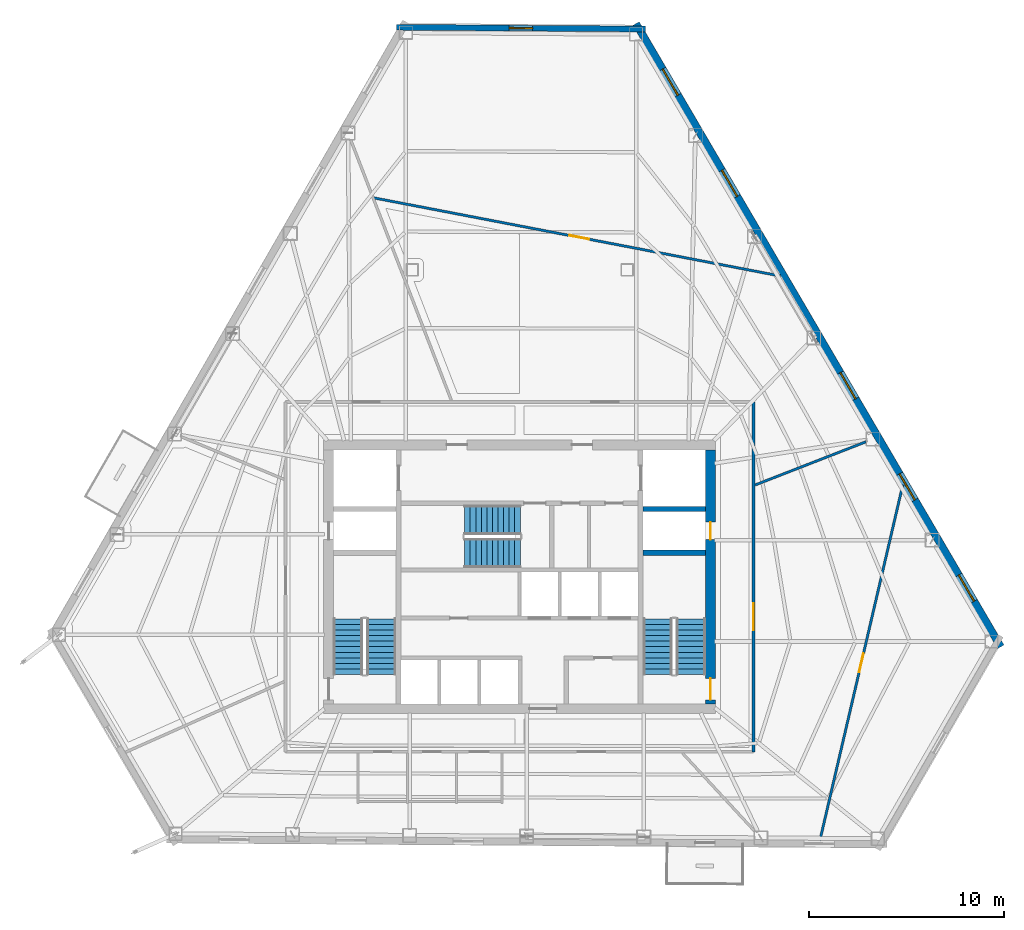
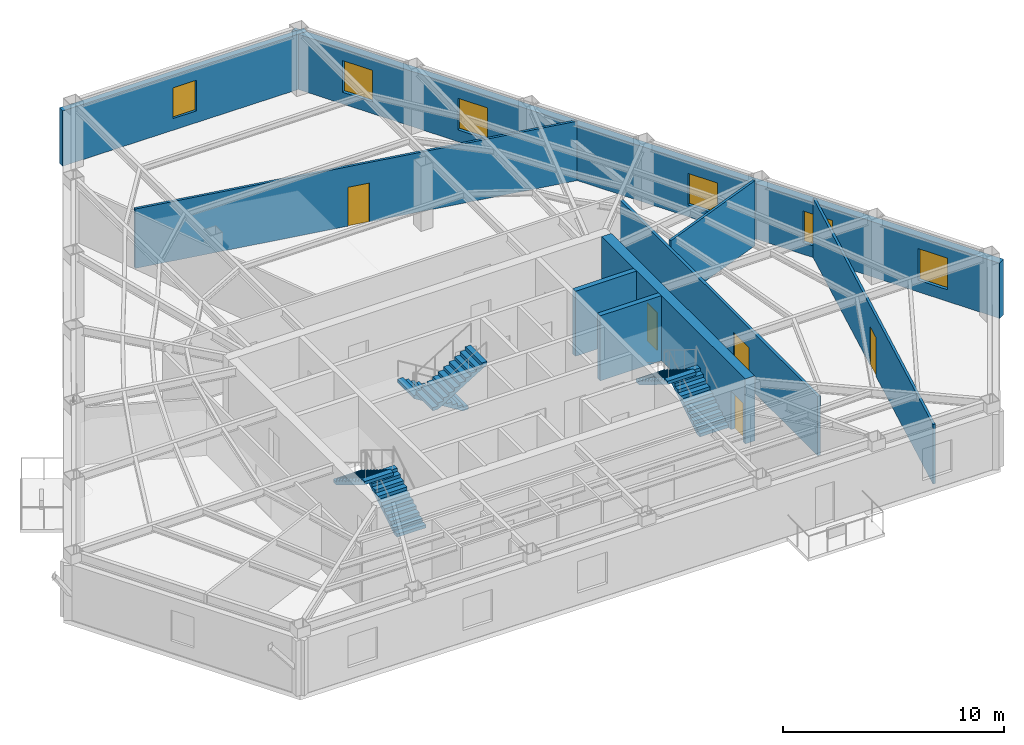
# One storey, part 10 of 12: 9 walls, 6 stair flights, 6 windows, 5 doors, 11 openings, 3 elements without a shape of their own.
"""IFC4 building model written with IfcOpenShell, lengths in metres."""

from ifc_helpers import new_model, si_unit, direction, frame, frame_2d, origin, place, context, subcontext, project, spatial, polyline, rectangle, outline, extrude, material, layer, layer_set, type_object, element, fill, aggregate, save


model = new_model("IFC4")

# Units and contexts
model_context = context("Model", 3, precision=1e-05, world=origin(), true_north=direction((0.0, 1.0)))
body_context = subcontext(model_context, "Body", "Model", "MODEL_VIEW")
ifc_project = project(units=[si_unit("LENGTHUNIT", "METRE"), si_unit("AREAUNIT", "SQUARE_METRE"), si_unit("VOLUMEUNIT", "CUBIC_METRE"), si_unit("PLANEANGLEUNIT", "RADIAN"), si_unit("MASSUNIT", "GRAM", prefix="KILO")], contexts=[model_context])

# Site, building, storey
site_placement = place(None, origin())
site = spatial("IfcSite", under=ifc_project, at=site_placement, CompositionType="ELEMENT")
building_placement = place(site_placement, origin())
building = spatial("IfcBuilding", under=site, at=building_placement, Name="Kavelnor Concourse Tower", CompositionType="ELEMENT")
storey_placement = place(building_placement, frame((0.0, 0.0, 120.14990234375)))
storey = spatial("IfcBuildingStorey", under=building, at=storey_placement, Name="L30", CompositionType="ELEMENT", Elevation=120.14990234375)

# Wall, openings, doors
ifc_material_1 = material(Name="Concrete C60/75", Category="concrete")
ifc_layer_1 = layer(ifc_material_1, 0.5, Name="Concrete C60/75")
ifc_layer_set_1 = layer_set([ifc_layer_1], Name="Concrete C60/75")
wall_type_1 = type_object("IfcWallType", Name="WL-CORE-Z2-500", PredefinedType="SOLIDWALL", material=ifc_layer_set_1)
wall_1_placement = place(storey_placement, frame((47.77001953125, 9.60009765625, 0.0), z_axis=(0.0, 0.0, 1.0), x_axis=(0.0, 1.0, 0.0)))
wall_1 = element("IfcWall", 1, at=wall_1_placement, inside=storey, type_object=wall_type_1, Name="L30 Central Core East Shear Wall", PredefinedType="SOLIDWALL", context=body_context, shape_type="SweptSolid", body=[
    extrude(rectangle(XDim=13.0, YDim=0.5, at=frame_2d((6.5, 0.0))), origin(), (0.0, 0.0, 1.0), 3.60009765625),
])
opening_1_placement = place(wall_1_placement, frame((0.199951171875, 0.0, 0.0)))
opening_1 = element("IfcOpeningElement", 2, at=opening_1_placement, cuts=wall_1, Name="Opening FD-110", PredefinedType="OPENING", context=body_context, shape_type="SweptSolid", body=[
    extrude(rectangle(XDim=1.10009765625, YDim=2.14990234375, at=frame_2d((0.550048828125, 1.074951171875))), frame((0.0, 0.260009765625, 0.0), z_axis=(0.0, -1.0, 0.0), x_axis=(1.0, 0.0, 0.0)), (0.0, 0.0, 1.0), 0.52001953125),
])
opening_2_placement = place(wall_1_placement, frame((8.39990234375, 0.0, 0.0)))
opening_2 = element("IfcOpeningElement", 3, at=opening_2_placement, cuts=wall_1, Name="Opening FD-090", PredefinedType="OPENING", context=body_context, shape_type="SweptSolid", body=[
    extrude(rectangle(XDim=0.89990234375, YDim=2.10009765625, at=frame_2d((0.449951171875, 1.050048828125))), frame((0.0, 0.260009765625, 0.0), z_axis=(0.0, -1.0, 0.0), x_axis=(1.0, 0.0, 0.0)), (0.0, 0.0, 1.0), 0.52001953125),
])
ifc_material_2 = material(Name="Steel Grade 350", Category="steel")
door_type_1 = type_object("IfcDoorType", Name="DR-RISER-FIRE-900", OperationType="NOTDEFINED", PredefinedType="DOOR", material=ifc_material_2)
door_1_placement = place(opening_2_placement, origin())
door_1 = element("IfcDoor", 4, at=door_1_placement, inside=storey, type_object=door_type_1, Name="L30 East Riser Access Door", OperationType="SINGLE_SWING_LEFT", OverallHeight=2.10009765625, OverallWidth=0.89990234375, PredefinedType="DOOR", context=body_context, shape_type="SweptSolid", body=[
    extrude(rectangle(XDim=0.89990234375, YDim=2.10009765625, at=frame_2d((0.449951171875, 1.050048828125))), frame((0.0, 0.02490234375, 0.0), z_axis=(0.0, -1.0, 0.0), x_axis=(1.0, 0.0, 0.0)), (0.0, 0.0, 1.0), 0.050048828125),
])
fill(opening_2, door_1)
door_type_2 = type_object("IfcDoorType", Name="DR-STAIR-FIRE-1100", OperationType="NOTDEFINED", PredefinedType="DOOR", material=ifc_material_2)
door_2_placement = place(opening_1_placement, origin())
door_2 = element("IfcDoor", 5, at=door_2_placement, inside=storey, type_object=door_type_2, Name="L30 Stair ST2 Fire Door", OperationType="SINGLE_SWING_RIGHT", OverallHeight=2.14990234375, OverallWidth=1.10009765625, PredefinedType="DOOR", context=body_context, shape_type="SweptSolid", body=[
    extrude(rectangle(XDim=1.10009765625, YDim=2.14990234375, at=frame_2d((0.550048828125, 1.074951171875))), frame((0.0, 0.02490234375, 0.0), z_axis=(0.0, -1.0, 0.0), x_axis=(1.0, 0.0, 0.0)), (0.0, 0.0, 1.0), 0.050048828125),
])
fill(opening_1, door_2)

# Wall, opening, window
ifc_material_3 = material(Name="Buff ironspot clay face brick masonry", Category="masonry")
ifc_layer_2 = layer(ifc_material_3, 0.300048828125, Name="Buff ironspot clay face brick masonry")
ifc_layer_set_2 = layer_set([ifc_layer_2], Name="Buff ironspot clay face brick masonry")
wall_type_2 = type_object("IfcWallType", Name="WL-EXT-BUFF-BRICK-FOLD-300", PredefinedType="STANDARD", material=ifc_layer_set_2)
wall_2_placement = place(storey_placement, frame((31.70556640625, 44.216796875, 0.0), z_axis=(0.0, 0.0, 1.0), x_axis=(0.999975916869, -0.006940149963, 0.0)))
wall_2 = element("IfcWall", 6, at=wall_2_placement, inside=storey, type_object=wall_type_2, Name="L30 Exterior Brick Facade Wall E0", PredefinedType="STANDARD", context=body_context, shape_type="SweptSolid", body=[
    extrude(rectangle(XDim=12.734375, YDim=0.300048828125, at=frame_2d((6.3671875, 0.0))), origin(), (0.0, 0.0, 1.0), 3.05908203125),
])
opening_3_placement = place(wall_2_placement, frame((5.767333984375, 0.0, 0.64990234375)))
opening_3 = element("IfcOpeningElement", 7, at=opening_3_placement, cuts=wall_2, Name="Opening W-05", PredefinedType="OPENING", context=body_context, shape_type="SweptSolid", body=[
    extrude(rectangle(XDim=1.199951171875, YDim=1.699951171875, at=frame_2d((0.60009765625, 0.85009765625))), frame((0.0, 0.16015625, 0.0), z_axis=(0.0, -1.0, 0.0), x_axis=(1.0, 0.0, 0.0)), (0.0, 0.0, 1.0), 0.320068359375),
])
ifc_material_4 = material(Name="Double low-E argon insulated glazing", Category="glass")
window_type_1 = type_object("IfcWindowType", Name="WIN-FOLD-1200", PartitioningType="SINGLE_PANEL", PredefinedType="WINDOW", material=ifc_material_4)
window_1_placement = place(opening_3_placement, origin())
window_1 = element("IfcWindow", 8, at=window_1_placement, inside=storey, type_object=window_type_1, Name="L30 Chamfer-Fold Facet Window C0", OverallHeight=1.699951171875, OverallWidth=1.199951171875, PartitioningType="SINGLE_PANEL", PredefinedType="WINDOW", context=body_context, shape_type="SweptSolid", body=[
    extrude(rectangle(XDim=1.199951171875, YDim=1.699951171875, at=frame_2d((0.60009765625, 0.85009765625))), frame((0.0, 0.030029296875, 0.0), z_axis=(0.0, -1.0, 0.0), x_axis=(1.0, 0.0, 0.0)), (0.0, 0.0, 1.0), 0.06005859375),
])
fill(opening_3, window_1)

# Wall, openings, windows
ifc_material_5 = material(Name="Red-ochre clay face brick masonry", Category="masonry")
ifc_layer_3 = layer(ifc_material_5, 0.3798828125, Name="Red-ochre clay face brick masonry")
ifc_layer_set_3 = layer_set([ifc_layer_3], Name="Red-ochre clay face brick masonry")
wall_type_3 = type_object("IfcWallType", Name="WL-EXT-RED-BRICK-PIER-380", PredefinedType="STANDARD", material=ifc_layer_set_3)
wall_3_placement = place(storey_placement, frame((43.958984375, 44.40625, 0.0), z_axis=(0.0, 0.0, 1.0), x_axis=(0.50514079069, -0.863036952616, 0.0)))
wall_3 = element("IfcWall", 9, at=wall_3_placement, inside=storey, type_object=wall_type_3, Name="L30 Exterior Brick Facade Wall E5", PredefinedType="STANDARD", context=body_context, shape_type="SweptSolid", body=[
    extrude(rectangle(XDim=36.9482421875, YDim=0.3798828125, at=frame_2d((18.47412109375, 0.0))), origin(), (0.0, 0.0, 1.0), 3.05908203125),
])
opening_4_placement = place(wall_3_placement, frame((32.69482421875, 0.0, 0.64990234375)))
opening_4 = element("IfcOpeningElement", 10, at=opening_4_placement, cuts=wall_3, Name="Opening W-02", PredefinedType="OPENING", context=body_context, shape_type="SweptSolid", body=[
    extrude(rectangle(XDim=1.550048828125, YDim=1.75, at=frame_2d((0.77490234375, 0.875))), frame((0.0, 0.199951171875, 0.0), z_axis=(0.0, -1.0, 0.0), x_axis=(1.0, 0.0, 0.0)), (0.0, 0.0, 1.0), 0.39990234375),
])
opening_5_placement = place(wall_3_placement, frame((26.695556640625, 0.0, 0.64990234375)))
opening_5 = element("IfcOpeningElement", 11, at=opening_5_placement, cuts=wall_3, Name="Opening W-02", PredefinedType="OPENING", context=body_context, shape_type="SweptSolid", body=[
    extrude(rectangle(XDim=1.550048828125, YDim=1.75, at=frame_2d((0.77490234375, 0.875))), frame((0.0, 0.199951171875, 0.0), z_axis=(0.0, -1.0, 0.0), x_axis=(1.0, 0.0, 0.0)), (0.0, 0.0, 1.0), 0.39990234375),
])
opening_6_placement = place(wall_3_placement, frame((20.696044921875, 0.0, 0.64990234375)))
opening_6 = element("IfcOpeningElement", 12, at=opening_6_placement, cuts=wall_3, Name="Opening W-02", PredefinedType="OPENING", context=body_context, shape_type="SweptSolid", body=[
    extrude(rectangle(XDim=1.550048828125, YDim=1.75, at=frame_2d((0.77490234375, 0.875))), frame((0.0, 0.199951171875, 0.0), z_axis=(0.0, -1.0, 0.0), x_axis=(1.0, 0.0, 0.0)), (0.0, 0.0, 1.0), 0.39990234375),
])
opening_7_placement = place(wall_3_placement, frame((8.697265625, 0.0, 0.64990234375)))
opening_7 = element("IfcOpeningElement", 13, at=opening_7_placement, cuts=wall_3, Name="Opening W-02", PredefinedType="OPENING", context=body_context, shape_type="SweptSolid", body=[
    extrude(rectangle(XDim=1.550048828125, YDim=1.75, at=frame_2d((0.77490234375, 0.875))), frame((0.0, 0.199951171875, 0.0), z_axis=(0.0, -1.0, 0.0), x_axis=(1.0, 0.0, 0.0)), (0.0, 0.0, 1.0), 0.39990234375),
])
opening_8_placement = place(wall_3_placement, frame((2.69775390625, 0.0, 0.64990234375)))
opening_8 = element("IfcOpeningElement", 14, at=opening_8_placement, cuts=wall_3, Name="Opening W-02", PredefinedType="OPENING", context=body_context, shape_type="SweptSolid", body=[
    extrude(rectangle(XDim=1.550048828125, YDim=1.75, at=frame_2d((0.77490234375, 0.875))), frame((0.0, 0.199951171875, 0.0), z_axis=(0.0, -1.0, 0.0), x_axis=(1.0, 0.0, 0.0)), (0.0, 0.0, 1.0), 0.39990234375),
])
window_type_2 = type_object("IfcWindowType", Name="WIN-PIER-Z2-1650", PartitioningType="SINGLE_PANEL", PredefinedType="WINDOW", material=ifc_material_4)
window_2_placement = place(opening_4_placement, origin())
window_2 = element("IfcWindow", 15, at=window_2_placement, inside=storey, type_object=window_type_2, Name="L30 Deep-Set Brick Pier Window F2-B0", OverallHeight=1.75, OverallWidth=1.550048828125, PartitioningType="SINGLE_PANEL", PredefinedType="WINDOW", context=body_context, shape_type="SweptSolid", body=[
    extrude(rectangle(XDim=1.550048828125, YDim=1.75, at=frame_2d((0.77490234375, 0.875))), frame((0.0, 0.030029296875, 0.0), z_axis=(0.0, -1.0, 0.0), x_axis=(1.0, 0.0, 0.0)), (0.0, 0.0, 1.0), 0.06005859375),
])
fill(opening_4, window_2)
window_3_placement = place(opening_5_placement, origin())
window_3 = element("IfcWindow", 16, at=window_3_placement, inside=storey, type_object=window_type_2, Name="L30 Deep-Set Brick Pier Window F2-B1", OverallHeight=1.75, OverallWidth=1.550048828125, PartitioningType="SINGLE_PANEL", PredefinedType="WINDOW", context=body_context, shape_type="SweptSolid", body=[
    extrude(rectangle(XDim=1.550048828125, YDim=1.75, at=frame_2d((0.77490234375, 0.875))), frame((0.0, 0.030029296875, 0.0), z_axis=(0.0, -1.0, 0.0), x_axis=(1.0, 0.0, 0.0)), (0.0, 0.0, 1.0), 0.06005859375),
])
fill(opening_5, window_3)
window_4_placement = place(opening_6_placement, origin())
window_4 = element("IfcWindow", 17, at=window_4_placement, inside=storey, type_object=window_type_2, Name="L30 Deep-Set Brick Pier Window F2-B2", OverallHeight=1.75, OverallWidth=1.550048828125, PartitioningType="SINGLE_PANEL", PredefinedType="WINDOW", context=body_context, shape_type="SweptSolid", body=[
    extrude(rectangle(XDim=1.550048828125, YDim=1.75, at=frame_2d((0.77490234375, 0.875))), frame((0.0, 0.030029296875, 0.0), z_axis=(0.0, -1.0, 0.0), x_axis=(1.0, 0.0, 0.0)), (0.0, 0.0, 1.0), 0.06005859375),
])
fill(opening_6, window_4)
window_5_placement = place(opening_7_placement, origin())
window_5 = element("IfcWindow", 18, at=window_5_placement, inside=storey, type_object=window_type_2, Name="L30 Deep-Set Brick Pier Window F2-B4", OverallHeight=1.75, OverallWidth=1.550048828125, PartitioningType="SINGLE_PANEL", PredefinedType="WINDOW", context=body_context, shape_type="SweptSolid", body=[
    extrude(rectangle(XDim=1.550048828125, YDim=1.75, at=frame_2d((0.77490234375, 0.875))), frame((0.0, 0.030029296875, 0.0), z_axis=(0.0, -1.0, 0.0), x_axis=(1.0, 0.0, 0.0)), (0.0, 0.0, 1.0), 0.06005859375),
])
fill(opening_7, window_5)
window_6_placement = place(opening_8_placement, origin())
window_6 = element("IfcWindow", 19, at=window_6_placement, inside=storey, type_object=window_type_2, Name="L30 Deep-Set Brick Pier Window F2-B5", OverallHeight=1.75, OverallWidth=1.550048828125, PartitioningType="SINGLE_PANEL", PredefinedType="WINDOW", context=body_context, shape_type="SweptSolid", body=[
    extrude(rectangle(XDim=1.550048828125, YDim=1.75, at=frame_2d((0.77490234375, 0.875))), frame((0.0, 0.030029296875, 0.0), z_axis=(0.0, -1.0, 0.0), x_axis=(1.0, 0.0, 0.0)), (0.0, 0.0, 1.0), 0.06005859375),
])
fill(opening_8, window_6)

# Wall, opening, door
ifc_material_6 = material(Name="Gypsum plasterboard on light-gauge steel studs", Category="steel")
ifc_layer_4 = layer(ifc_material_6, 0.14501953125, Name="Gypsum plasterboard on light-gauge steel studs")
ifc_layer_set_4 = layer_set([ifc_layer_4], Name="Gypsum plasterboard on light-gauge steel studs")
wall_type_4 = type_object("IfcWallType", Name="WL-INT-CORR-145", PredefinedType="PARTITIONING", material=ifc_layer_set_4)
wall_4_placement = place(storey_placement, frame((49.969970703125, 7.14990234375, 0.0), z_axis=(0.0, 0.0, 1.0), x_axis=(0.0, 1.0, 0.0)))
wall_4 = element("IfcWall", 20, at=wall_4_placement, inside=storey, type_object=wall_type_4, Name="L30 Corridor Wall WL-L30-CR-01", PredefinedType="PARTITIONING", context=body_context, shape_type="SweptSolid", body=[
    extrude(rectangle(XDim=17.900146484375, YDim=0.14501953125, at=frame_2d((8.9501953125, 0.0))), origin(), (0.0, 0.0, 1.0), 3.2880859375),
])
opening_9_placement = place(wall_4_placement, frame((6.20751953125, 0.0, 0.0)))
opening_9 = element("IfcOpeningElement", 21, at=opening_9_placement, cuts=wall_4, Name="Opening SD-140", PredefinedType="OPENING", context=body_context, shape_type="SweptSolid", body=[
    extrude(rectangle(XDim=1.39990234375, YDim=2.199951171875, at=frame_2d((0.699951171875, 1.10009765625))), frame((0.0, 0.08251953125, 0.0), z_axis=(0.0, -1.0, 0.0), x_axis=(1.0, 0.0, 0.0)), (0.0, 0.0, 1.0), 0.1650390625),
])
ifc_material_7 = material(Name="Solid-core hardwood timber", Category="wood")
door_type_3 = type_object("IfcDoorType", Name="DR-SUITE-ENTRY-1400", OperationType="NOTDEFINED", PredefinedType="DOOR", material=ifc_material_7)
door_3_placement = place(opening_9_placement, origin())
door_3 = element("IfcDoor", 22, at=door_3_placement, inside=storey, type_object=door_type_3, Name="L30 Staff Breakout Pantry 06 Door", OperationType="SINGLE_SWING_LEFT", OverallHeight=2.199951171875, OverallWidth=1.39990234375, PredefinedType="DOOR", context=body_context, shape_type="SweptSolid", body=[
    extrude(rectangle(XDim=1.39990234375, YDim=2.199951171875, at=frame_2d((0.699951171875, 1.10009765625))), frame((0.0, 0.02490234375, 0.0), z_axis=(0.0, -1.0, 0.0), x_axis=(1.0, 0.0, 0.0)), (0.0, 0.0, 1.0), 0.050048828125),
])
fill(opening_9, door_3)

# Wall
ifc_layer_5 = layer(ifc_material_6, 0.125, Name="Gypsum plasterboard on light-gauge steel studs")
ifc_layer_set_5 = layer_set([ifc_layer_5], Name="Gypsum plasterboard on light-gauge steel studs")
wall_type_5 = type_object("IfcWallType", Name="WL-INT-SUITE-125", PredefinedType="PARTITIONING", material=ifc_layer_set_5)
wall_5_placement = place(storey_placement, frame((50.050537109375, 20.797607421875, 0.0), z_axis=(0.0, 0.0, 1.0), x_axis=(0.931714445964, 0.363191672786, 0.0)))
element("IfcWall", 23, at=wall_5_placement, inside=storey, type_object=wall_type_5, Name="L30 Radial Suite Partition 01", PredefinedType="PARTITIONING", context=body_context, shape_type="SweptSolid", body=[
    extrude(rectangle(XDim=6.084228515625, YDim=0.125, at=frame_2d((3.0419921875, 0.0))), origin(), (0.0, 0.0, 1.0), 3.60009765625),
])

# Wall, opening, door
wall_6_placement = place(storey_placement, frame((51.344970703125, 31.490234375, 0.0), z_axis=(0.0, 0.0, 1.0), x_axis=(-0.982025578243, 0.188747883902, 0.0)))
wall_6 = element("IfcWall", 24, at=wall_6_placement, inside=storey, type_object=wall_type_5, Name="L30 Suite Subdivision Partition 01", PredefinedType="PARTITIONING", context=body_context, shape_type="SweptSolid", body=[
    extrude(rectangle(XDim=21.20263671875, YDim=0.125, at=frame_2d((10.601318359375, 0.0))), origin(), (0.0, 0.0, 1.0), 3.2880859375),
])
opening_10_placement = place(wall_6_placement, frame((9.968994140625, 0.0, 0.0)))
opening_10 = element("IfcOpeningElement", 25, at=opening_10_placement, cuts=wall_6, Name="Opening MD-102", PredefinedType="OPENING", context=body_context, shape_type="SweptSolid", body=[
    extrude(rectangle(XDim=1.02001953125, YDim=2.14990234375, at=frame_2d((0.510009765625, 1.074951171875))), frame((0.0, 0.072509765625, 0.0), z_axis=(0.0, -1.0, 0.0), x_axis=(1.0, 0.0, 0.0)), (0.0, 0.0, 1.0), 0.14501953125),
])
ifc_material_8 = material(Name="Acoustic glazed timber frame", Category="wood")
door_type_4 = type_object("IfcDoorType", Name="DR-MEETING-1020", OperationType="NOTDEFINED", PredefinedType="DOOR", material=ifc_material_8)
door_4_placement = place(opening_10_placement, origin())
door_4 = element("IfcDoor", 26, at=door_4_placement, inside=storey, type_object=door_type_4, Name="L30 Client Boardroom 02 Door", OperationType="SINGLE_SWING_LEFT", OverallHeight=2.14990234375, OverallWidth=1.02001953125, PredefinedType="DOOR", context=body_context, shape_type="SweptSolid", body=[
    extrude(rectangle(XDim=1.02001953125, YDim=2.14990234375, at=frame_2d((0.510009765625, 1.074951171875))), frame((0.0, 0.02490234375, 0.0), z_axis=(0.0, -1.0, 0.0), x_axis=(1.0, 0.0, 0.0)), (0.0, 0.0, 1.0), 0.050048828125),
])
fill(opening_10, door_4)

wall_7_placement = place(storey_placement, frame((53.365478515625, 2.602294921875, 0.0), z_axis=(0.0, 0.0, 1.0), x_axis=(0.227056479697, 0.973881591893, 0.0)))
wall_7 = element("IfcWall", 27, at=wall_7_placement, inside=storey, type_object=wall_type_5, Name="L30 Suite Subdivision Partition 05", PredefinedType="PARTITIONING", context=body_context, shape_type="SweptSolid", body=[
    extrude(rectangle(XDim=18.677978515625, YDim=0.125, at=frame_2d((9.3388671875, 0.0))), origin(), (0.0, 0.0, 1.0), 3.2880859375),
])
opening_11_placement = place(wall_7_placement, frame((8.84912109375, 0.0, 0.0)))
opening_11 = element("IfcOpeningElement", 28, at=opening_11_placement, cuts=wall_7, Name="Opening OD-098", PredefinedType="OPENING", context=body_context, shape_type="SweptSolid", body=[
    extrude(rectangle(XDim=0.97998046875, YDim=2.14990234375, at=frame_2d((0.489990234375, 1.074951171875))), frame((0.0, 0.072509765625, 0.0), z_axis=(0.0, -1.0, 0.0), x_axis=(1.0, 0.0, 0.0)), (0.0, 0.0, 1.0), 0.14501953125),
])
door_type_5 = type_object("IfcDoorType", Name="DR-OFFICE-980", OperationType="NOTDEFINED", PredefinedType="DOOR", material=ifc_material_7)
door_5_placement = place(opening_11_placement, origin())
door_5 = element("IfcDoor", 29, at=door_5_placement, inside=storey, type_object=door_type_5, Name="L30 Tenant Bookstore Retail Shop 07 Door", OperationType="SINGLE_SWING_RIGHT", OverallHeight=2.14990234375, OverallWidth=0.97998046875, PredefinedType="DOOR", context=body_context, shape_type="SweptSolid", body=[
    extrude(rectangle(XDim=0.97998046875, YDim=2.14990234375, at=frame_2d((0.489990234375, 1.074951171875))), frame((0.0, 0.02490234375, 0.0), z_axis=(0.0, -1.0, 0.0), x_axis=(1.0, 0.0, 0.0)), (0.0, 0.0, 1.0), 0.050048828125),
])
fill(opening_11, door_5)

# Walls
ifc_material_9 = material(Name="Concrete C50/60", Category="concrete")
ifc_layer_6 = layer(ifc_material_9, 0.260009765625, Name="Concrete C50/60")
ifc_layer_set_6 = layer_set([ifc_layer_6], Name="Concrete C50/60")
wall_type_6 = type_object("IfcWallType", Name="WL-SHAFT-260", PredefinedType="SHEAR", material=ifc_layer_set_6)
for number, where, z_axis, x_axis, name in (
    (30, (44.320068359375, 17.330078125, 0.0), (0.0, 0.0, 1.0), (1.0, 0.0, 0.0), "L30 Stair ST2 North Shaft Wall"),
    (31, (44.320068359375, 19.570068359375, 0.0), (0.0, 0.0, 1.0), (1.0, 0.0, 0.0), "L30 Emergency Lift FL2 South Shaft Wall"),
):
    element("IfcWall", number, at=place(storey_placement, frame(where, z_axis=z_axis, x_axis=x_axis)), inside=storey, type_object=wall_type_6, Name=name, PredefinedType="SHEAR", context=body_context, shape_type="SweptSolid", body=[
        extrude(rectangle(XDim=3.199951171875, YDim=0.260009765625, at=frame_2d((1.60009765625, 0.0))), origin(), (0.0, 0.0, 1.0), 3.60009765625),
    ])

# Stair, stair flights
ifc_material_10 = material(Name="Concrete C40/50", Category="concrete")
stair_type = type_object("IfcStairType", Name="STR-CORE-1500", PredefinedType="HALF_TURN_STAIR", material=ifc_material_10)
stair_1_placement = place(storey_placement, origin())
stair_1 = element("IfcStair", 32, at=stair_1_placement, inside=storey, type_object=stair_type, Name="L30 ST1", PredefinedType="HALF_TURN_STAIR")
stair_flight_type = type_object("IfcStairFlightType", Name="STR-FLIGHT-1500", PredefinedType="STRAIGHT", material=ifc_material_10)
stair_flight_1_placement = place(storey_placement, frame((30.929931640625, 11.10009765625, 0.0), z_axis=(0.0, 0.0, 1.0), x_axis=(0.0, 1.0, 0.0)))
stair_flight_1 = element("IfcStairFlight", 33, at=stair_flight_1_placement, type_object=stair_flight_type, Name="ST1 flight 1", NumberOfRisers=11, NumberOfTreads=10, PredefinedType="STRAIGHT", RiserHeight=0.175, TreadLength=0.285, context=body_context, shape_type="SweptSolid", body=[
    extrude(outline(polyline([(0.0, 0.0), (0.0, 0.175048828125), (0.284912109375, 0.175048828125), (0.284912109375, 0.35009765625), (0.570068359375, 0.35009765625), (0.570068359375, 0.52490234375), (0.85498046875, 0.52490234375), (0.85498046875, 0.699951171875), (1.139892578125, 0.699951171875), (1.139892578125, 0.875), (1.425048828125, 0.875), (1.425048828125, 1.050048828125), (1.7099609375, 1.050048828125), (1.7099609375, 1.22509765625), (1.9951171875, 1.22509765625), (1.9951171875, 1.39990234375), (2.280029296875, 1.39990234375), (2.280029296875, 1.574951171875), (2.56494140625, 1.574951171875), (2.56494140625, 1.75), (2.85009765625, 1.75), (2.85009765625, 1.925048828125), (2.85009765625, 1.573974609375), (0.286376953125, 0.0), (0.0, 0.0)])), frame((0.0, 0.75, 0.0), z_axis=(0.0, -1.0, 0.0), x_axis=(1.0, 0.0, 0.0)), (0.0, 0.0, 1.0), 1.5),
])
stair_flight_2_placement = place(storey_placement, frame((29.22998046875, 13.949951171875, 1.925048828125), z_axis=(0.0, 0.0, 1.0), x_axis=(0.0, -1.0, 0.0)))
stair_flight_2 = element("IfcStairFlight", 34, at=stair_flight_2_placement, type_object=stair_flight_type, Name="ST1 flight 2", NumberOfRisers=11, NumberOfTreads=10, PredefinedType="STRAIGHT", RiserHeight=0.175, TreadLength=0.285, context=body_context, shape_type="SweptSolid", body=[
    extrude(outline(polyline([(0.0, 0.0), (0.0, 0.175048828125), (0.284912109375, 0.175048828125), (0.284912109375, 0.35009765625), (0.570068359375, 0.35009765625), (0.570068359375, 0.52490234375), (0.85498046875, 0.52490234375), (0.85498046875, 0.699951171875), (1.139892578125, 0.699951171875), (1.139892578125, 0.875), (1.425048828125, 0.875), (1.425048828125, 1.050048828125), (1.7099609375, 1.050048828125), (1.7099609375, 1.22509765625), (1.9951171875, 1.22509765625), (1.9951171875, 1.39990234375), (2.280029296875, 1.39990234375), (2.280029296875, 1.574951171875), (2.56494140625, 1.574951171875), (2.56494140625, 1.75), (2.85009765625, 1.75), (2.85009765625, 1.925048828125), (2.85009765625, 1.573974609375), (0.286376953125, 0.0), (0.0, 0.0)])), frame((0.0, 0.75, 0.0), z_axis=(0.0, -1.0, 0.0), x_axis=(1.0, 0.0, 0.0)), (0.0, 0.0, 1.0), 1.5),
])
aggregate(stair_1, [stair_flight_1, stair_flight_2])

stair_2_placement = place(storey_placement, origin())
stair_2 = element("IfcStair", 35, at=stair_2_placement, inside=storey, type_object=stair_type, Name="L30 ST2", PredefinedType="HALF_TURN_STAIR")
stair_flight_3_placement = place(storey_placement, frame((46.77001953125, 11.10009765625, 0.0), z_axis=(0.0, 0.0, 1.0), x_axis=(0.0, 1.0, 0.0)))
stair_flight_3 = element("IfcStairFlight", 36, at=stair_flight_3_placement, type_object=stair_flight_type, Name="ST2 flight 1", NumberOfRisers=11, NumberOfTreads=10, PredefinedType="STRAIGHT", RiserHeight=0.175, TreadLength=0.285, context=body_context, shape_type="SweptSolid", body=[
    extrude(outline(polyline([(0.0, 0.0), (0.0, 0.175048828125), (0.284912109375, 0.175048828125), (0.284912109375, 0.35009765625), (0.570068359375, 0.35009765625), (0.570068359375, 0.52490234375), (0.85498046875, 0.52490234375), (0.85498046875, 0.699951171875), (1.139892578125, 0.699951171875), (1.139892578125, 0.875), (1.425048828125, 0.875), (1.425048828125, 1.050048828125), (1.7099609375, 1.050048828125), (1.7099609375, 1.22509765625), (1.9951171875, 1.22509765625), (1.9951171875, 1.39990234375), (2.280029296875, 1.39990234375), (2.280029296875, 1.574951171875), (2.56494140625, 1.574951171875), (2.56494140625, 1.75), (2.85009765625, 1.75), (2.85009765625, 1.925048828125), (2.85009765625, 1.573974609375), (0.286376953125, 0.0), (0.0, 0.0)])), frame((0.0, 0.75, 0.0), z_axis=(0.0, -1.0, 0.0), x_axis=(1.0, 0.0, 0.0)), (0.0, 0.0, 1.0), 1.5),
])
stair_flight_4_placement = place(storey_placement, frame((45.070068359375, 13.949951171875, 1.925048828125), z_axis=(0.0, 0.0, 1.0), x_axis=(0.0, -1.0, 0.0)))
stair_flight_4 = element("IfcStairFlight", 37, at=stair_flight_4_placement, type_object=stair_flight_type, Name="ST2 flight 2", NumberOfRisers=11, NumberOfTreads=10, PredefinedType="STRAIGHT", RiserHeight=0.175, TreadLength=0.285, context=body_context, shape_type="SweptSolid", body=[
    extrude(outline(polyline([(0.0, 0.0), (0.0, 0.175048828125), (0.284912109375, 0.175048828125), (0.284912109375, 0.35009765625), (0.570068359375, 0.35009765625), (0.570068359375, 0.52490234375), (0.85498046875, 0.52490234375), (0.85498046875, 0.699951171875), (1.139892578125, 0.699951171875), (1.139892578125, 0.875), (1.425048828125, 0.875), (1.425048828125, 1.050048828125), (1.7099609375, 1.050048828125), (1.7099609375, 1.22509765625), (1.9951171875, 1.22509765625), (1.9951171875, 1.39990234375), (2.280029296875, 1.39990234375), (2.280029296875, 1.574951171875), (2.56494140625, 1.574951171875), (2.56494140625, 1.75), (2.85009765625, 1.75), (2.85009765625, 1.925048828125), (2.85009765625, 1.573974609375), (0.286376953125, 0.0), (0.0, 0.0)])), frame((0.0, 0.75, 0.0), z_axis=(0.0, -1.0, 0.0), x_axis=(1.0, 0.0, 0.0)), (0.0, 0.0, 1.0), 1.5),
])
aggregate(stair_2, [stair_flight_3, stair_flight_4])

stair_3_placement = place(storey_placement, origin())
stair_3 = element("IfcStair", 38, at=stair_3_placement, inside=storey, type_object=stair_type, Name="L30 ST3", PredefinedType="HALF_TURN_STAIR")
stair_flight_5_placement = place(storey_placement, frame((38.0400390625, 19.010009765625, 0.0), z_axis=(0.0, 0.0, 1.0), x_axis=(-1.0, 0.0, 0.0)))
stair_flight_5 = element("IfcStairFlight", 39, at=stair_flight_5_placement, type_object=stair_flight_type, Name="ST3 flight 1", NumberOfRisers=11, NumberOfTreads=10, PredefinedType="STRAIGHT", RiserHeight=0.175, TreadLength=0.285, context=body_context, shape_type="SweptSolid", body=[
    extrude(outline(polyline([(0.0, 0.0), (0.0, 0.175048828125), (0.284912109375, 0.175048828125), (0.284912109375, 0.35009765625), (0.570068359375, 0.35009765625), (0.570068359375, 0.52490234375), (0.85498046875, 0.52490234375), (0.85498046875, 0.699951171875), (1.139892578125, 0.699951171875), (1.139892578125, 0.875), (1.425048828125, 0.875), (1.425048828125, 1.050048828125), (1.7099609375, 1.050048828125), (1.7099609375, 1.22509765625), (1.9951171875, 1.22509765625), (1.9951171875, 1.39990234375), (2.280029296875, 1.39990234375), (2.280029296875, 1.574951171875), (2.56494140625, 1.574951171875), (2.56494140625, 1.75), (2.85009765625, 1.75), (2.85009765625, 1.925048828125), (2.85009765625, 1.573974609375), (0.286376953125, 0.0), (0.0, 0.0)])), frame((0.0, 0.75, 0.0), z_axis=(0.0, -1.0, 0.0), x_axis=(1.0, 0.0, 0.0)), (0.0, 0.0, 1.0), 1.5),
])
stair_flight_6_placement = place(storey_placement, frame((35.18994140625, 17.31005859375, 1.925048828125), z_axis=(0.0, 0.0, 1.0), x_axis=(1.0, 0.0, 0.0)))
stair_flight_6 = element("IfcStairFlight", 40, at=stair_flight_6_placement, type_object=stair_flight_type, Name="ST3 flight 2", NumberOfRisers=11, NumberOfTreads=10, PredefinedType="STRAIGHT", RiserHeight=0.175, TreadLength=0.285, context=body_context, shape_type="SweptSolid", body=[
    extrude(outline(polyline([(0.0, 0.0), (0.0, 0.175048828125), (0.284912109375, 0.175048828125), (0.284912109375, 0.35009765625), (0.570068359375, 0.35009765625), (0.570068359375, 0.52490234375), (0.85498046875, 0.52490234375), (0.85498046875, 0.699951171875), (1.139892578125, 0.699951171875), (1.139892578125, 0.875), (1.425048828125, 0.875), (1.425048828125, 1.050048828125), (1.7099609375, 1.050048828125), (1.7099609375, 1.22509765625), (1.9951171875, 1.22509765625), (1.9951171875, 1.39990234375), (2.280029296875, 1.39990234375), (2.280029296875, 1.574951171875), (2.56494140625, 1.574951171875), (2.56494140625, 1.75), (2.85009765625, 1.75), (2.85009765625, 1.925048828125), (2.85009765625, 1.573974609375), (0.286376953125, 0.0), (0.0, 0.0)])), frame((0.0, 0.75, 0.0), z_axis=(0.0, -1.0, 0.0), x_axis=(1.0, 0.0, 0.0)), (0.0, 0.0, 1.0), 1.5),
])
aggregate(stair_3, [stair_flight_5, stair_flight_6])

save(model, "model.ifc")
